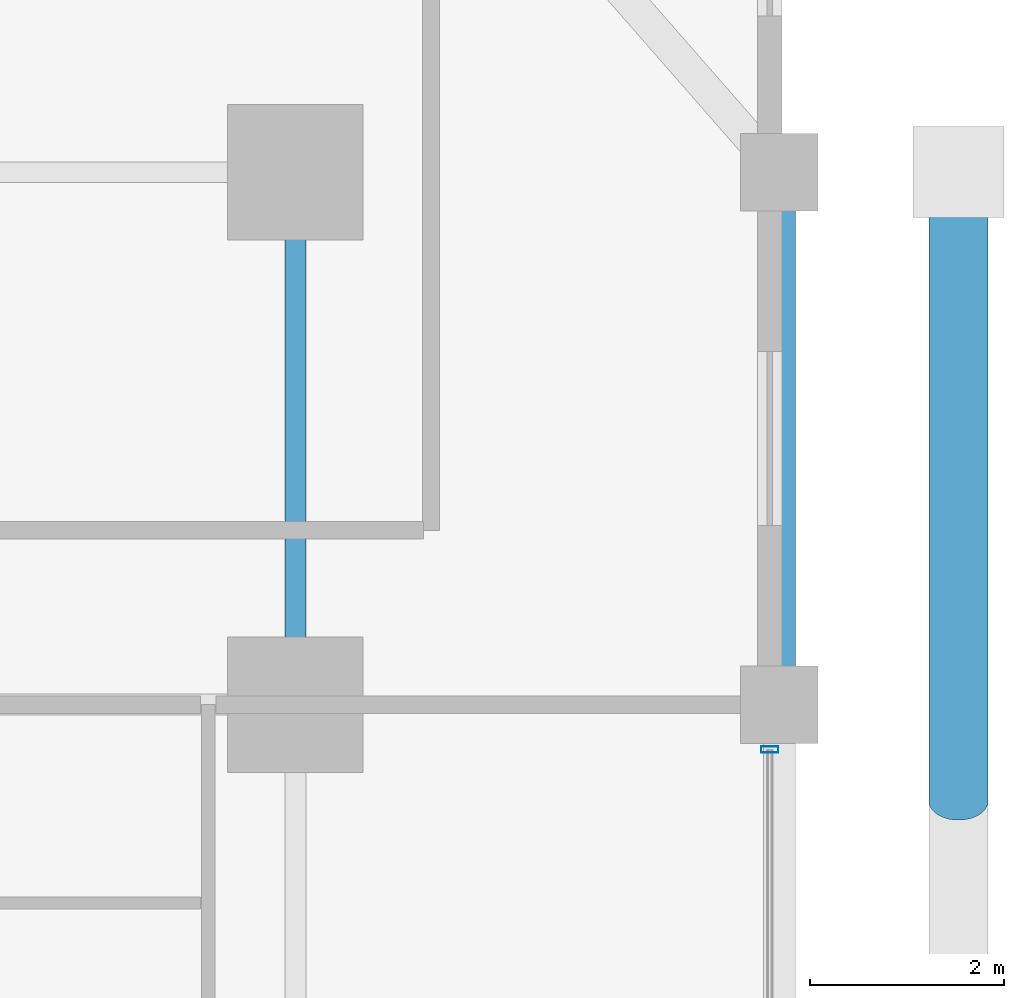
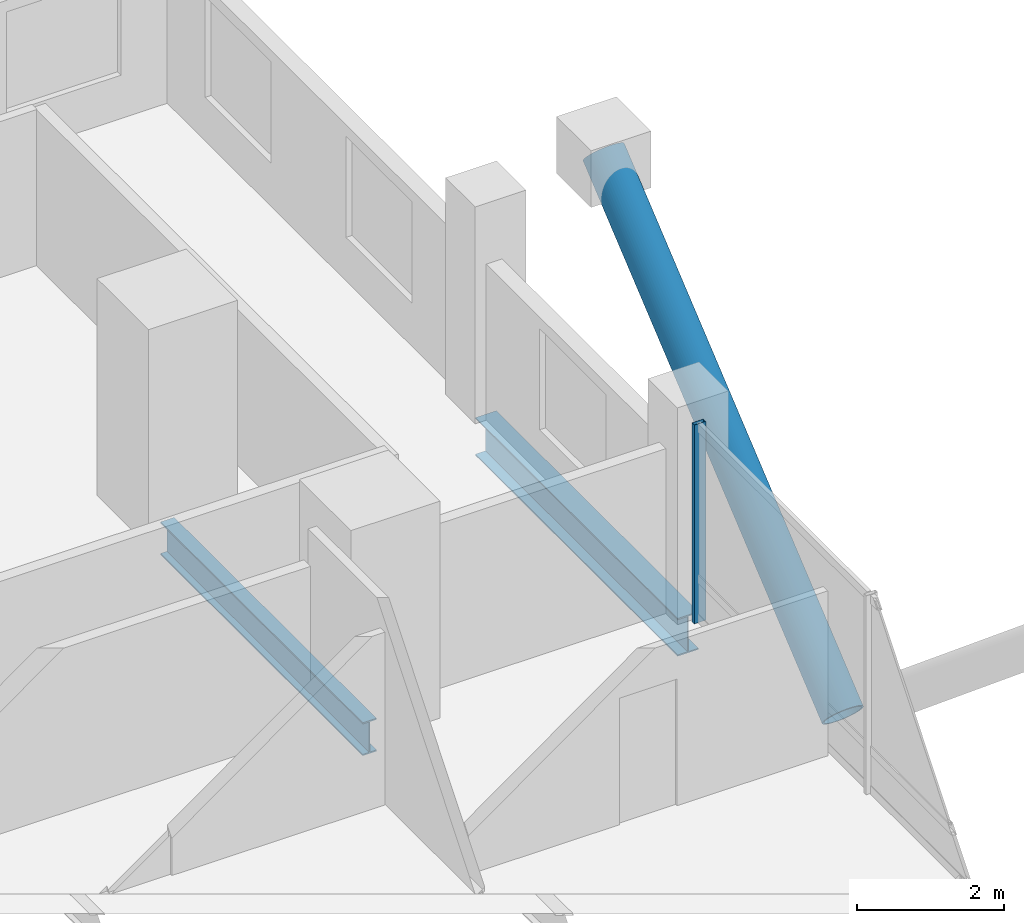
# One storey, part 15 of 24: 2 beams, 2 members, 1 element without a shape of its own.
"""IFC4 building model written with IfcOpenShell, lengths in metres."""

from ifc_helpers import new_model, si_unit, direction, frame, origin, origin_2d, place, context, subcontext, project, spatial, hollow_rectangle, hollow_circle, i_section, extrude, material, layer, layer_set, material_profile, profile_set, type_object, element, aggregate, save


model = new_model("IFC4")

# Units and contexts
model_context = context("Model", 3, precision=1e-05, world=origin(), true_north=direction((0.0, 1.0)))
body_context = subcontext(model_context, "Body", "Model", "MODEL_VIEW")
ifc_project = project(units=[si_unit("LENGTHUNIT", "METRE"), si_unit("AREAUNIT", "SQUARE_METRE"), si_unit("VOLUMEUNIT", "CUBIC_METRE"), si_unit("PLANEANGLEUNIT", "RADIAN"), si_unit("MASSUNIT", "GRAM", prefix="KILO")], contexts=[model_context])

# Site, building, storey
site_placement = place(None, origin())
site = spatial("IfcSite", under=ifc_project, at=site_placement, CompositionType="ELEMENT")
building_placement = place(site_placement, origin())
building = spatial("IfcBuilding", under=site, at=building_placement, Name="Barlavira Tower and Art Museum", CompositionType="ELEMENT")
storey_placement = place(building_placement, frame((0.0, 0.0, 90.0)))
storey = spatial("IfcBuildingStorey", under=building, at=storey_placement, Name="L22", CompositionType="ELEMENT", Elevation=90.0)

# Curtain wall, member
ifc_material_1 = material(Name="Low-iron coastal laminated glass", Category="glass")
ifc_layer = layer(ifc_material_1, 0.179931640625, Name="Low-iron coastal laminated glass")
ifc_layer_set = layer_set([ifc_layer], Name="Low-iron coastal laminated glass")
curtain_wall_type = type_object("IfcCurtainWallType", Name="Pale-Metal Unitised Curtain Wall Zone 1", PredefinedType="NOTDEFINED", material=ifc_layer_set)
curtain_wall_placement = place(storey_placement, origin())
curtain_wall = element("IfcCurtainWall", 1, at=curtain_wall_placement, inside=storey, type_object=curtain_wall_type, Name="L22 Curtain Wall CW1-L22-E-B3", PredefinedType="NOTDEFINED")
ifc_material_2 = material(Name="Pale anodised aluminium", Category="aluminium")
ifc_material_profile_1 = material_profile(ifc_material_2, hollow_rectangle(XDim=0.06494140625, YDim=0.179931640625, WallThickness=0.00390625, at=origin_2d()), Name="ALU-MULL 65x180x4")
ifc_profile_set_1 = profile_set([ifc_material_profile_1], Name="Pale anodised aluminium")
member_type_1 = type_object("IfcMemberType", Name="Curtain Wall Pale-Metal Mullion 65x180", PredefinedType="MULLION", material=ifc_profile_set_1)
member_1_placement = place(storey_placement, frame((21.89990234375, 7.034912109375, 0.0), z_axis=(0.0, 0.0, 1.0), x_axis=(0.0, 1.0, 0.0)))
member_1 = element("IfcMember", 2, at=member_1_placement, type_object=member_type_1, Name="CW1-L22-E-B3 Mullion 3", PredefinedType="MULLION", context=body_context, shape_type="SweptSolid", body=[
    extrude(hollow_rectangle(XDim=0.06494140625, YDim=0.179931640625, WallThickness=0.00390625, at=origin_2d()), origin(), (0.0, 0.0, 1.0), 3.300048828125),
])
aggregate(curtain_wall, [member_1])

# Member
ifc_material_3 = material(Name="Steel S355", Category="steel")
ifc_material_profile_2 = material_profile(ifc_material_3, hollow_circle(Radius=0.304931640625, WallThickness=0.028076171875, at=origin_2d()), Name="CHS 610.0x28.0")
ifc_profile_set_2 = profile_set([ifc_material_profile_2], Name="Steel S355")
member_type_2 = type_object("IfcMemberType", Name="Pale-Metal Exoskeleton Diagrid Tube CHS 610x28 Steel S355", PredefinedType="BRACE", material=ifc_profile_set_2)
member_2_placement = place(storey_placement, frame((23.85009765625, 6.5, -1.919921875), z_axis=(0.0, 0.769196053329, 0.639012857104), x_axis=(-1.0, 0.0, 0.0)))
element("IfcMember", 3, at=member_2_placement, inside=storey, type_object=member_type_2, Name="L22 Exoskeleton Diagrid Tube E", PredefinedType="BRACE", context=body_context, shape_type="SweptSolid", body=[
    extrude(hollow_circle(Radius=0.304931640625, WallThickness=0.028076171875, at=origin_2d()), origin(), (0.0, 0.0, 1.0), 8.450439453125),
])

# Beams
ifc_material_profile_3 = material_profile(ifc_material_3, i_section(OverallWidth=0.327880859375, OverallDepth=0.62890625, WebThickness=0.013916015625, FlangeThickness=0.021484375, at=origin_2d()), Name="W610x174.0")
ifc_profile_set_3 = profile_set([ifc_material_profile_3], Name="Steel S355")
beam_type_1 = type_object("IfcBeamType", Name="Perimeter Spandrel Edge Beam W610x174 Steel S355", PredefinedType="SPANDREL", material=ifc_profile_set_3)
beam_1_placement = place(storey_placement, frame((22.0, 7.5, -0.534423828125), z_axis=(0.0, 1.0, 0.0), x_axis=(-1.0, 0.0, 0.0)))
element("IfcBeam", 4, at=beam_1_placement, inside=storey, type_object=beam_type_1, Name="L22 Spandrel 7", PredefinedType="SPANDREL", context=body_context, shape_type="SweptSolid", body=[
    extrude(i_section(OverallWidth=0.327880859375, OverallDepth=0.62890625, WebThickness=0.013916015625, FlangeThickness=0.021484375, at=origin_2d()), origin(), (0.0, 0.0, 1.0), 5.5),
])
ifc_material_profile_4 = material_profile(ifc_material_3, i_section(OverallWidth=0.214111328125, OverallDepth=0.549072265625, WebThickness=0.0146484375, FlangeThickness=0.023681640625, at=origin_2d()), Name="W530x138.0")
ifc_profile_set_4 = profile_set([ifc_material_profile_4], Name="Steel S355")
beam_type_2 = type_object("IfcBeamType", Name="Zone 1 Primary Floor Girder W530x138 Steel S355", PredefinedType="BEAM", material=ifc_profile_set_4)
beam_2_placement = place(storey_placement, frame((17.0, 7.5, -0.494384765625), z_axis=(0.0, 1.0, 0.0), x_axis=(-1.0, 0.0, 0.0)))
element("IfcBeam", 5, at=beam_2_placement, inside=storey, type_object=beam_type_2, Name="L22 Girder M-E3", PredefinedType="BEAM", context=body_context, shape_type="SweptSolid", body=[
    extrude(i_section(OverallWidth=0.214111328125, OverallDepth=0.549072265625, WebThickness=0.0146484375, FlangeThickness=0.023681640625, at=origin_2d()), origin(), (0.0, 0.0, 1.0), 5.5),
])

save(model, "model.ifc")
